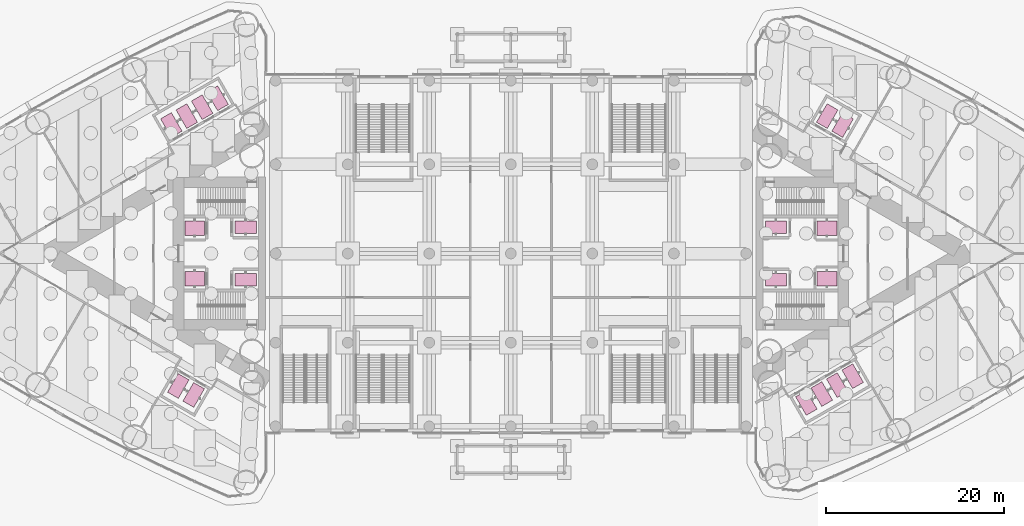
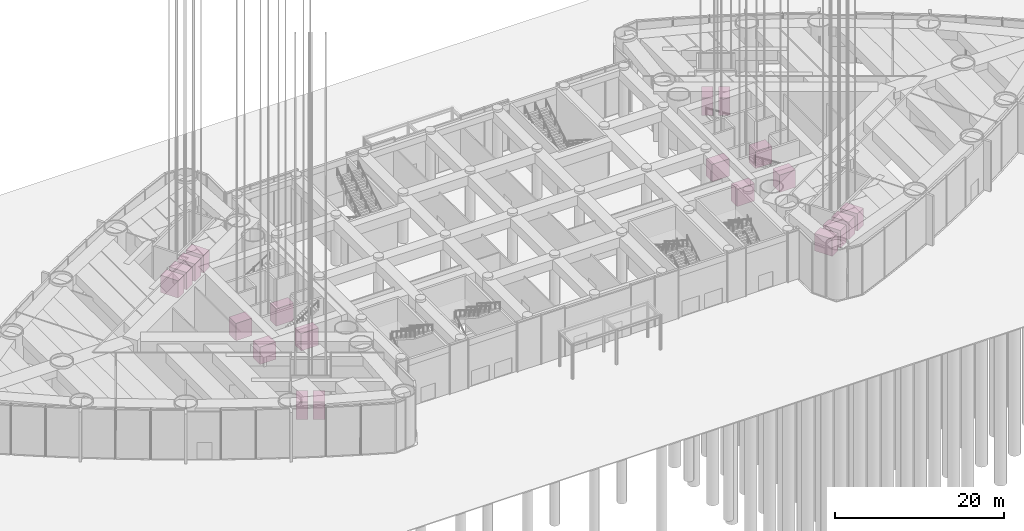
# One storey, part 29 of 43: 20 transport elements.
"""IFC4 building model written with IfcOpenShell, lengths in metres."""

from ifc_helpers import new_model, si_unit, direction, frame, origin, origin_2d, place, context, subcontext, project, spatial, rectangle, extrude, material, type_object, element, save


model = new_model("IFC4")

# Units and contexts
model_context = context("Model", 3, precision=1e-05, world=origin(), true_north=direction((0.0, 1.0)))
body_context = subcontext(model_context, "Body", "Model", "MODEL_VIEW")
ifc_project = project(units=[si_unit("LENGTHUNIT", "METRE"), si_unit("AREAUNIT", "SQUARE_METRE"), si_unit("VOLUMEUNIT", "CUBIC_METRE"), si_unit("PLANEANGLEUNIT", "RADIAN"), si_unit("MASSUNIT", "GRAM", prefix="KILO")], contexts=[model_context])

# Site, building, storey
site_placement = place(None, origin())
site = spatial("IfcSite", under=ifc_project, at=site_placement, CompositionType="ELEMENT")
building_placement = place(site_placement, origin())
building = spatial("IfcBuilding", under=site, at=building_placement, Name="Lancet Gate Hotel", CompositionType="ELEMENT")
storey_placement = place(building_placement, origin())
storey = spatial("IfcBuildingStorey", under=building, at=storey_placement, Name="L00", CompositionType="ELEMENT", Elevation=0.0)

# Transport elements
ifc_material_1 = material(Name="Steel lift car", Category="steel")
transport_element_type_1 = type_object("IfcTransportElementType", Name="Firefighting lift 1600 kg", PredefinedType="ELEVATOR", material=ifc_material_1)
for number, where, z_axis, x_axis, name in (
    (1, (-29.75, -2.949951171875, 0.0), (0.0, 0.0, 1.0), (1.0, 0.0, 0.0), "T1-FL2"),
    (2, (29.75, 2.949951171875, 0.0), (0.0, 0.0, 1.0), (1.0, 0.0, 0.0), "T2-FL2"),
):
    element("IfcTransportElement", number, at=place(storey_placement, frame(where, z_axis=z_axis, x_axis=x_axis)), inside=storey, type_object=transport_element_type_1, Name=name, PredefinedType="ELEVATOR", context=body_context, shape_type="SweptSolid", body=[
        extrude(rectangle(XDim=2.39990234375, YDim=1.39990234375, at=origin_2d()), origin(), (0.0, 0.0, 1.0), 2.5),
    ])
ifc_material_2 = material(Name="Steel lift car", Category="steel")
transport_element_type_2 = type_object("IfcTransportElementType", Name="Observation shuttle lift 1600 kg", PredefinedType="ELEVATOR", material=ifc_material_2)
for number, where, z_axis, x_axis, name in (
    (3, (-35.47509765625, 2.824951171875, 0.0), (0.0, 0.0, 1.0), (1.0, 0.0, 0.0), "T1-OL3"),
    (4, (-35.47509765625, -2.824951171875, 0.0), (0.0, 0.0, 1.0), (1.0, 0.0, 0.0), "T1-OL4"),
    (5, (35.47509765625, -2.824951171875, 0.0), (0.0, 0.0, 1.0), (1.0, 0.0, 0.0), "T2-OL3"),
    (6, (35.47509765625, 2.824951171875, 0.0), (0.0, 0.0, 1.0), (1.0, 0.0, 0.0), "T2-OL4"),
):
    element("IfcTransportElement", number, at=place(storey_placement, frame(where, z_axis=z_axis, x_axis=x_axis)), inside=storey, type_object=transport_element_type_2, Name=name, PredefinedType="ELEVATOR", context=body_context, shape_type="SweptSolid", body=[
        extrude(rectangle(XDim=2.199951171875, YDim=1.60009765625, at=origin_2d()), origin(), (0.0, 0.0, 1.0), 2.5),
    ])
ifc_material_3 = material(Name="Steel lift car", Category="steel")
transport_element_type_3 = type_object("IfcTransportElementType", Name="Passenger lift low rise 1600 kg", PredefinedType="ELEVATOR", material=ifc_material_3)
for number, where, z_axis, x_axis, name in (
    (7, (-32.89892578125, 17.41845703125, 0.0), (0.0, 0.0, 1.0), (-0.499916865226, 0.866073396349, 0.0), "T1-LR1"),
    (8, (-34.631103515625, 16.41845703125, 0.0), (0.0, 0.0, 1.0), (-0.499916865226, 0.866073396349, 0.0), "T1-LR2"),
    (9, (-36.363037109375, 15.41845703125, 0.0), (0.0, 0.0, 1.0), (-0.499916865226, 0.866073396349, 0.0), "T1-LR3"),
    (10, (-38.094970703125, 14.41845703125, 0.0), (0.0, 0.0, 1.0), (-0.499916865226, 0.866073396349, 0.0), "T1-LR4"),
    (11, (33.158447265625, -16.7685546875, 0.0), (0.0, 0.0, 1.0), (0.499916865226, -0.866073396349, 0.0), "T2-LR1"),
    (12, (34.89111328125, -15.7685546875, 0.0), (0.0, 0.0, 1.0), (0.499916865226, -0.866073396349, 0.0), "T2-LR2"),
    (13, (36.623046875, -14.7685546875, 0.0), (0.0, 0.0, 1.0), (0.499916865226, -0.866073396349, 0.0), "T2-LR3"),
    (14, (38.35498046875, -13.7685546875, 0.0), (0.0, 0.0, 1.0), (0.499916865226, -0.866073396349, 0.0), "T2-LR4"),
):
    element("IfcTransportElement", number, at=place(storey_placement, frame(where, z_axis=z_axis, x_axis=x_axis)), inside=storey, type_object=transport_element_type_3, Name=name, PredefinedType="ELEVATOR", context=body_context, shape_type="SweptSolid", body=[
        extrude(rectangle(XDim=2.39990234375, YDim=1.39990234375, at=origin_2d()), origin(), (0.0, 0.0, 1.0), 2.5),
    ])
ifc_material_4 = material(Name="Steel lift car", Category="steel")
transport_element_type_4 = type_object("IfcTransportElementType", Name="Service lift 1600 kg", PredefinedType="ELEVATOR", material=ifc_material_4)
for number, where, z_axis, x_axis, name in (
    (15, (-29.75, 2.949951171875, 0.0), (0.0, 0.0, 1.0), (1.0, 0.0, 0.0), "T1-SL1"),
    (16, (29.75, -2.949951171875, 0.0), (0.0, 0.0, 1.0), (1.0, 0.0, 0.0), "T2-SL1"),
):
    element("IfcTransportElement", number, at=place(storey_placement, frame(where, z_axis=z_axis, x_axis=x_axis)), inside=storey, type_object=transport_element_type_4, Name=name, PredefinedType="ELEVATOR", context=body_context, shape_type="SweptSolid", body=[
        extrude(rectangle(XDim=2.39990234375, YDim=1.39990234375, at=origin_2d()), origin(), (0.0, 0.0, 1.0), 2.5),
    ])
ifc_material_5 = material(Name="Steel lift car", Category="steel")
transport_element_type_5 = type_object("IfcTransportElementType", Name="Sky lobby shuttle lift 1600 kg", PredefinedType="ELEVATOR", material=ifc_material_5)
for number, where, z_axis, x_axis, name in (
    (17, (-35.58349609375, -15.868408203125, 0.0), (0.0, 0.0, 1.0), (-0.499916865226, -0.866073396349, 0.0), "T1-EX1"),
    (18, (-37.3154296875, -14.868408203125, 0.0), (0.0, 0.0, 1.0), (-0.499916865226, -0.866073396349, 0.0), "T1-EX2"),
    (19, (35.4970703125, 15.41845703125, 0.0), (0.0, 0.0, 1.0), (0.499916865226, 0.866073396349, 0.0), "T2-EX1"),
    (20, (37.22900390625, 14.41845703125, 0.0), (0.0, 0.0, 1.0), (0.499916865226, 0.866073396349, 0.0), "T2-EX2"),
):
    element("IfcTransportElement", number, at=place(storey_placement, frame(where, z_axis=z_axis, x_axis=x_axis)), inside=storey, type_object=transport_element_type_5, Name=name, PredefinedType="ELEVATOR", context=body_context, shape_type="SweptSolid", body=[
        extrude(rectangle(XDim=2.39990234375, YDim=1.39990234375, at=origin_2d()), origin(), (0.0, 0.0, 1.0), 2.5),
    ])

save(model, "model.ifc")
